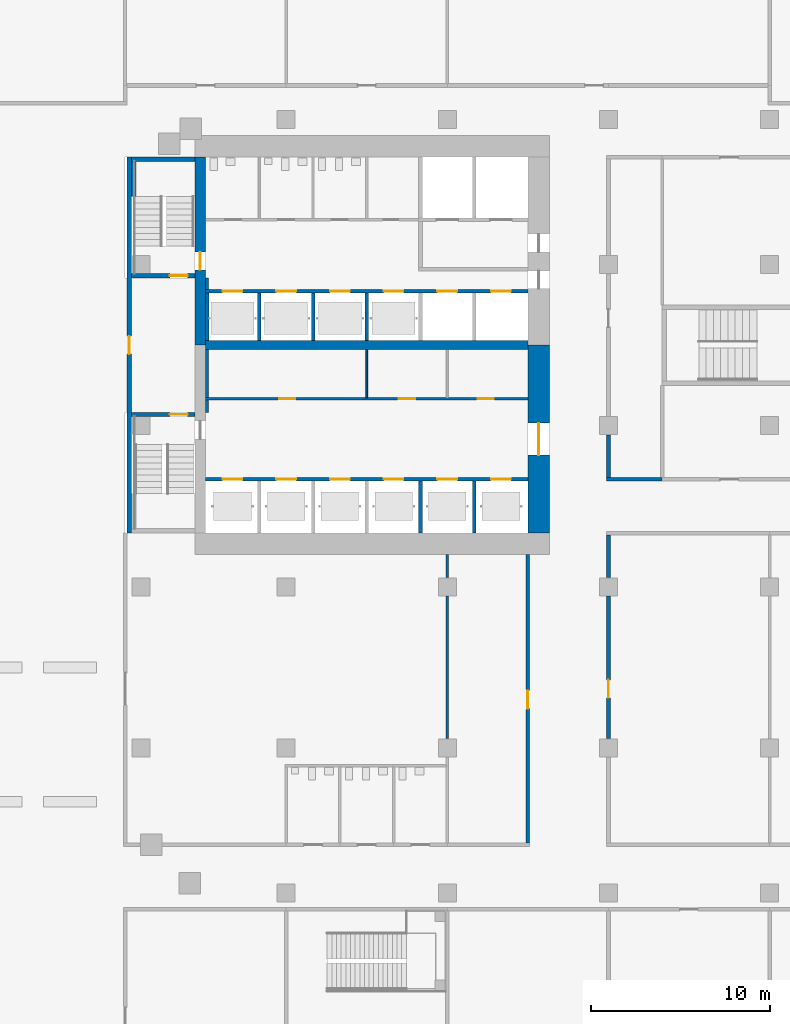
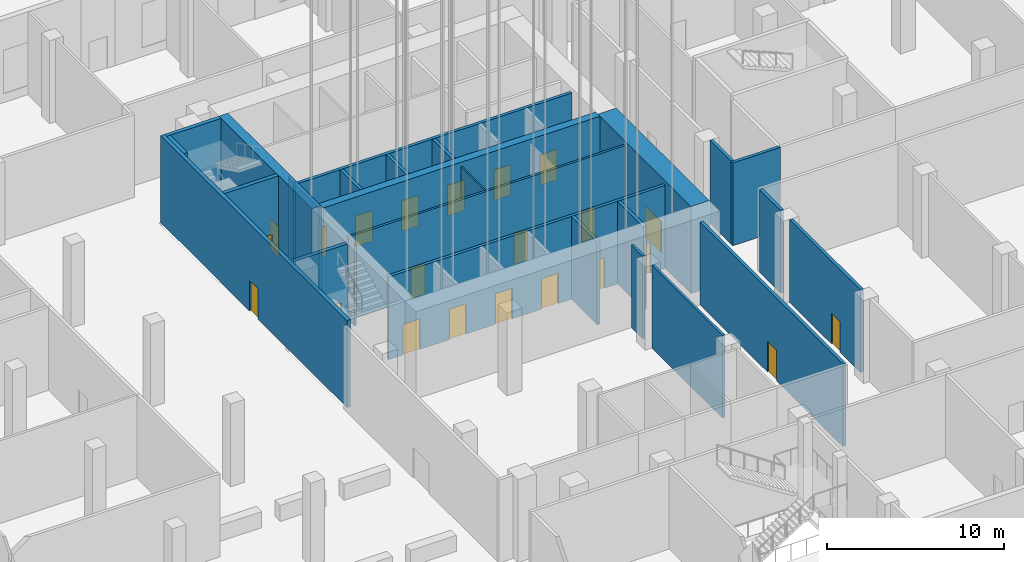
# One storey, part 38 of 55: 28 walls, 22 doors, 22 openings.
"""IFC4 building model written with IfcOpenShell, lengths in metres."""

from ifc_helpers import new_model, si_unit, direction, frame, frame_2d, origin, place, context, subcontext, project, spatial, rectangle, extrude, material, layer, layer_set, type_object, element, fill, save


model = new_model("IFC4")

# Units and contexts
model_context = context("Model", 3, precision=1e-05, world=origin(), true_north=direction((0.0, 1.0)))
body_context = subcontext(model_context, "Body", "Model", "MODEL_VIEW")
ifc_project = project(units=[si_unit("LENGTHUNIT", "METRE"), si_unit("AREAUNIT", "SQUARE_METRE"), si_unit("VOLUMEUNIT", "CUBIC_METRE"), si_unit("PLANEANGLEUNIT", "RADIAN"), si_unit("MASSUNIT", "GRAM", prefix="KILO")], contexts=[model_context])

# Site, building, storey
site_placement = place(None, origin())
site = spatial("IfcSite", under=ifc_project, at=site_placement, CompositionType="ELEMENT")
building_placement = place(site_placement, origin())
building = spatial("IfcBuilding", under=site, at=building_placement, Name="Cinnabar Reach Civic Tower", CompositionType="ELEMENT")
storey_placement = place(building_placement, origin())
storey = spatial("IfcBuildingStorey", under=building, at=storey_placement, Name="L00", CompositionType="ELEMENT", Elevation=0.0)

# Wall, opening, door
ifc_material_1 = material(Name="Concrete C70", Category="concrete")
ifc_layer_1 = layer(ifc_material_1, 1.2)
ifc_layer_set_1 = layer_set([ifc_layer_1], Name="Core wall 1200 EI 180")
wall_type_1 = type_object("IfcWallType", Name="Core wall 1200 EI 180", PredefinedType="SOLIDWALL", material=ifc_layer_set_1)
wall_1_placement = place(storey_placement, frame((23.1, 21.0, 0.0), z_axis=(0.0, 0.0, 1.0), x_axis=(0.0, 1.0, 0.0)))
wall_1 = element("IfcWall", 1, at=wall_1_placement, inside=storey, type_object=wall_type_1, Name="Core wall T1 L00 E", PredefinedType="SOLIDWALL", context=body_context, shape_type="SweptSolid", body=[
    extrude(rectangle(XDim=10.5, YDim=1.2, at=frame_2d((5.25, 0.0))), origin(), (0.0, 0.0, 1.0), 6.0),
])
opening_1_placement = place(wall_1_placement, frame((4.35, 0.0, 0.0)))
opening_1 = element("IfcOpeningElement", 2, at=opening_1_placement, cuts=wall_1, Name="Opening D3076", PredefinedType="OPENING", context=body_context, shape_type="SweptSolid", body=[
    extrude(rectangle(XDim=1.8, YDim=2.1, at=frame_2d((0.9, 1.05))), frame((0.0, 0.61, 0.0), z_axis=(0.0, -1.0, 0.0), x_axis=(1.0, 0.0, 0.0)), (0.0, 0.0, 1.0), 1.22),
])
ifc_material_2 = material(Name="Timber door leaf in steel frame", Category="steel")
door_type_1 = type_object("IfcDoorType", Name="Double swing door 1800 x 2100 T1", OperationType="DOUBLE_DOOR_DOUBLE_SWING", PredefinedType="DOOR", material=ifc_material_2)
door_1_placement = place(opening_1_placement, origin())
door_1 = element("IfcDoor", 3, at=door_1_placement, inside=storey, type_object=door_type_1, Name="Door D3076", OperationType="DOUBLE_DOOR_DOUBLE_SWING", OverallHeight=2.1, OverallWidth=1.8, PredefinedType="DOOR", context=body_context, shape_type="SweptSolid", body=[
    extrude(rectangle(XDim=1.8, YDim=2.1, at=frame_2d((0.9, 1.05))), frame((0.0, 0.025, 0.0), z_axis=(0.0, -1.0, 0.0), x_axis=(1.0, 0.0, 0.0)), (0.0, 0.0, 1.0), 0.05),
])
fill(opening_1, door_1)

# Wall
ifc_material_3 = material(Name="Concrete C60", Category="concrete")
ifc_layer_2 = layer(ifc_material_3, 0.5)
ifc_layer_set_2 = layer_set([ifc_layer_2], Name="Core wall 500 EI 180")
wall_type_2 = type_object("IfcWallType", Name="Core wall 500 EI 180", PredefinedType="SOLIDWALL", material=ifc_layer_set_2)
wall_2_placement = place(storey_placement, frame((4.5, 31.5, 0.0), z_axis=(0.0, 0.0, 1.0), x_axis=(1.0, 0.0, 0.0)))
element("IfcWall", 4, at=wall_2_placement, inside=storey, type_object=wall_type_2, Name="Core spine wall T1 L00", PredefinedType="SOLIDWALL", context=body_context, shape_type="SweptSolid", body=[
    extrude(rectangle(XDim=18.0, YDim=0.5, at=frame_2d((9.0, 0.0))), origin(), (0.0, 0.0, 1.0), 6.0),
])

# Wall, opening, door
ifc_layer_3 = layer(ifc_material_1, 0.6)
ifc_layer_set_3 = layer_set([ifc_layer_3], Name="Core wall 600 EI 180")
wall_type_3 = type_object("IfcWallType", Name="Core wall 600 EI 180", PredefinedType="SOLIDWALL", material=ifc_layer_set_3)
wall_3_placement = place(storey_placement, frame((4.2, 42.0, 0.0), z_axis=(0.0, 0.0, 1.0), x_axis=(0.0, -1.0, 0.0)))
wall_3 = element("IfcWall", 5, at=wall_3_placement, inside=storey, type_object=wall_type_3, Name="Core wall T1 L00 W", PredefinedType="SOLIDWALL", context=body_context, shape_type="SweptSolid", body=[
    extrude(rectangle(XDim=10.5, YDim=0.6, at=frame_2d((5.25, 0.0))), origin(), (0.0, 0.0, 1.0), 6.0),
])
opening_2_placement = place(wall_3_placement, frame((5.3, 0.0, 0.0)))
opening_2 = element("IfcOpeningElement", 6, at=opening_2_placement, cuts=wall_3, Name="Opening D3060", PredefinedType="OPENING", context=body_context, shape_type="SweptSolid", body=[
    extrude(rectangle(XDim=1.0, YDim=2.1, at=frame_2d((0.5, 1.05))), frame((0.0, 0.31, 0.0), z_axis=(0.0, -1.0, 0.0), x_axis=(1.0, 0.0, 0.0)), (0.0, 0.0, 1.0), 0.62),
])
door_type_2 = type_object("IfcDoorType", Name="Stair door 1000 x 2100 T1", OperationType="SINGLE_SWING_LEFT", PredefinedType="DOOR", material=ifc_material_2)
door_2_placement = place(opening_2_placement, frame((1.0, 0.0, 0.0), z_axis=(0.0, 0.0, 1.0), x_axis=(-1.0, 0.0, 0.0)))
door_2 = element("IfcDoor", 7, at=door_2_placement, inside=storey, type_object=door_type_2, Name="Door D3060", OperationType="SINGLE_SWING_LEFT", OverallHeight=2.1, OverallWidth=1.0, PredefinedType="DOOR", context=body_context, shape_type="SweptSolid", body=[
    extrude(rectangle(XDim=1.0, YDim=2.1, at=frame_2d((0.5, 1.05))), frame((0.0, 0.025, 0.0), z_axis=(0.0, -1.0, 0.0), x_axis=(1.0, 0.0, 0.0)), (0.0, 0.0, 1.0), 0.05),
])
fill(opening_2, door_2)

# Wall, openings, doors
ifc_material_4 = material(Name="Gypsum board on steel studs, double layer", Category="steel")
ifc_layer_4 = layer(ifc_material_4, 0.15)
ifc_layer_set_4 = layer_set([ifc_layer_4], Name="Corridor wall 150 T1")
wall_type_4 = type_object("IfcWallType", Name="Corridor wall 150 T1", PredefinedType="PARTITIONING", material=ifc_layer_set_4)
wall_4_placement = place(storey_placement, frame((4.5, 28.5, 0.0), z_axis=(0.0, 0.0, 1.0), x_axis=(1.0, 0.0, 0.0)))
wall_4 = element("IfcWall", 8, at=wall_4_placement, inside=storey, type_object=wall_type_4, Name="Corridor wall 19", PredefinedType="PARTITIONING", context=body_context, shape_type="SweptSolid", body=[
    extrude(rectangle(XDim=18.0, YDim=0.15, at=frame_2d((9.0, 0.0))), origin(), (0.0, 0.0, 1.0), 5.7),
])
opening_3_placement = place(wall_4_placement, frame((4.1, 0.0, 0.0)))
opening_3 = element("IfcOpeningElement", 9, at=opening_3_placement, cuts=wall_4, Name="Opening D3079", PredefinedType="OPENING", context=body_context, shape_type="SweptSolid", body=[
    extrude(rectangle(XDim=0.9, YDim=2.1, at=frame_2d((0.45, 1.05))), frame((0.0, 0.085, 0.0), z_axis=(0.0, -1.0, 0.0), x_axis=(1.0, 0.0, 0.0)), (0.0, 0.0, 1.0), 0.17),
])
opening_4_placement = place(wall_4_placement, frame((10.8, 0.0, 0.0)))
opening_4 = element("IfcOpeningElement", 10, at=opening_4_placement, cuts=wall_4, Name="Opening D3080", PredefinedType="OPENING", context=body_context, shape_type="SweptSolid", body=[
    extrude(rectangle(XDim=0.9, YDim=2.1, at=frame_2d((0.45, 1.05))), frame((0.0, 0.085, 0.0), z_axis=(0.0, -1.0, 0.0), x_axis=(1.0, 0.0, 0.0)), (0.0, 0.0, 1.0), 0.17),
])
opening_5_placement = place(wall_4_placement, frame((15.2, 0.0, 0.0)))
opening_5 = element("IfcOpeningElement", 11, at=opening_5_placement, cuts=wall_4, Name="Opening D3081", PredefinedType="OPENING", context=body_context, shape_type="SweptSolid", body=[
    extrude(rectangle(XDim=0.9, YDim=2.1, at=frame_2d((0.45, 1.05))), frame((0.0, 0.085, 0.0), z_axis=(0.0, -1.0, 0.0), x_axis=(1.0, 0.0, 0.0)), (0.0, 0.0, 1.0), 0.17),
])
door_type_3 = type_object("IfcDoorType", Name="Single swing door 900 x 2100 corridor T1", OperationType="SINGLE_SWING_LEFT", PredefinedType="DOOR", material=ifc_material_2)
door_3_placement = place(opening_3_placement, origin())
door_3 = element("IfcDoor", 12, at=door_3_placement, inside=storey, type_object=door_type_3, Name="Door D3079", OperationType="SINGLE_SWING_LEFT", OverallHeight=2.1, OverallWidth=0.9, PredefinedType="DOOR", context=body_context, shape_type="SweptSolid", body=[
    extrude(rectangle(XDim=0.9, YDim=2.1, at=frame_2d((0.45, 1.05))), frame((0.0, 0.025, 0.0), z_axis=(0.0, -1.0, 0.0), x_axis=(1.0, 0.0, 0.0)), (0.0, 0.0, 1.0), 0.05),
])
fill(opening_3, door_3)
door_4_placement = place(opening_4_placement, origin())
door_4 = element("IfcDoor", 13, at=door_4_placement, inside=storey, type_object=door_type_3, Name="Door D3080", OperationType="SINGLE_SWING_LEFT", OverallHeight=2.1, OverallWidth=0.9, PredefinedType="DOOR", context=body_context, shape_type="SweptSolid", body=[
    extrude(rectangle(XDim=0.9, YDim=2.1, at=frame_2d((0.45, 1.05))), frame((0.0, 0.025, 0.0), z_axis=(0.0, -1.0, 0.0), x_axis=(1.0, 0.0, 0.0)), (0.0, 0.0, 1.0), 0.05),
])
fill(opening_4, door_4)
door_5_placement = place(opening_5_placement, origin())
door_5 = element("IfcDoor", 14, at=door_5_placement, inside=storey, type_object=door_type_3, Name="Door D3081", OperationType="SINGLE_SWING_LEFT", OverallHeight=2.1, OverallWidth=0.9, PredefinedType="DOOR", context=body_context, shape_type="SweptSolid", body=[
    extrude(rectangle(XDim=0.9, YDim=2.1, at=frame_2d((0.45, 1.05))), frame((0.0, 0.025, 0.0), z_axis=(0.0, -1.0, 0.0), x_axis=(1.0, 0.0, 0.0)), (0.0, 0.0, 1.0), 0.05),
])
fill(opening_5, door_5)

# Walls
wall_5_placement = place(storey_placement, frame((4.575, 27.75, 0.0), z_axis=(0.0, 0.0, 1.0), x_axis=(0.0, 1.0, 0.0)))
element("IfcWall", 15, at=wall_5_placement, inside=storey, type_object=wall_type_4, Name="Corridor wall 21", PredefinedType="PARTITIONING", context=body_context, shape_type="SweptSolid", body=[
    extrude(rectangle(XDim=0.675, YDim=0.15, at=frame_2d((0.3375, 0.0))), origin(), (0.0, 0.0, 1.0), 5.7),
])
wall_6_placement = place(storey_placement, frame((4.575, 28.575, 0.0), z_axis=(0.0, 0.0, 1.0), x_axis=(0.0, 1.0, 0.0)))
element("IfcWall", 16, at=wall_6_placement, inside=storey, type_object=wall_type_4, Name="Corridor wall 22", PredefinedType="PARTITIONING", context=body_context, shape_type="SweptSolid", body=[
    extrude(rectangle(XDim=2.675, YDim=0.15, at=frame_2d((1.3375, 0.0))), origin(), (0.0, 0.0, 1.0), 5.7),
])
wall_7_placement = place(storey_placement, frame((4.575, 34.6, 0.0), z_axis=(0.0, 0.0, 1.0), x_axis=(0.0, 1.0, 0.0)))
element("IfcWall", 17, at=wall_7_placement, inside=storey, type_object=wall_type_4, Name="Corridor wall 23", PredefinedType="PARTITIONING", context=body_context, shape_type="SweptSolid", body=[
    extrude(rectangle(XDim=0.65, YDim=0.15, at=frame_2d((0.325, 0.0))), origin(), (0.0, 0.0, 1.0), 5.7),
])

# Wall, openings, doors
ifc_material_5 = material(Name="Blockwork", Category="masonry")
ifc_layer_5 = layer(ifc_material_5, 0.2)
ifc_layer_set_5 = layer_set([ifc_layer_5], Name="Lift shaft wall 200 T1")
wall_type_5 = type_object("IfcWallType", Name="Lift shaft wall 200 T1", PredefinedType="PARTITIONING", material=ifc_layer_set_5)
wall_8_placement = place(storey_placement, frame((4.5, 24.0, 0.0), z_axis=(0.0, 0.0, 1.0), x_axis=(1.0, 0.0, 0.0)))
wall_8 = element("IfcWall", 18, at=wall_8_placement, inside=storey, type_object=wall_type_5, Name="Lift shaft wall 4", PredefinedType="PARTITIONING", context=body_context, shape_type="SweptSolid", body=[
    extrude(rectangle(XDim=18.0, YDim=0.2, at=frame_2d((9.0, 0.0))), origin(), (0.0, 0.0, 1.0), 5.7),
])
opening_6_placement = place(wall_8_placement, frame((0.95, 0.0, 0.0)))
opening_6 = element("IfcOpeningElement", 19, at=opening_6_placement, cuts=wall_8, Name="Opening D3062", PredefinedType="OPENING", context=body_context, shape_type="SweptSolid", body=[
    extrude(rectangle(XDim=1.1, YDim=2.1, at=frame_2d((0.55, 1.05))), frame((0.0, 0.11, 0.0), z_axis=(0.0, -1.0, 0.0), x_axis=(1.0, 0.0, 0.0)), (0.0, 0.0, 1.0), 0.22),
])
opening_7_placement = place(wall_8_placement, frame((3.95, 0.0, 0.0)))
opening_7 = element("IfcOpeningElement", 20, at=opening_7_placement, cuts=wall_8, Name="Opening D3063", PredefinedType="OPENING", context=body_context, shape_type="SweptSolid", body=[
    extrude(rectangle(XDim=1.1, YDim=2.1, at=frame_2d((0.55, 1.05))), frame((0.0, 0.11, 0.0), z_axis=(0.0, -1.0, 0.0), x_axis=(1.0, 0.0, 0.0)), (0.0, 0.0, 1.0), 0.22),
])
opening_8_placement = place(wall_8_placement, frame((6.95, 0.0, 0.0)))
opening_8 = element("IfcOpeningElement", 21, at=opening_8_placement, cuts=wall_8, Name="Opening D3064", PredefinedType="OPENING", context=body_context, shape_type="SweptSolid", body=[
    extrude(rectangle(XDim=1.1, YDim=2.1, at=frame_2d((0.55, 1.05))), frame((0.0, 0.11, 0.0), z_axis=(0.0, -1.0, 0.0), x_axis=(1.0, 0.0, 0.0)), (0.0, 0.0, 1.0), 0.22),
])
opening_9_placement = place(wall_8_placement, frame((9.95, 0.0, 0.0)))
opening_9 = element("IfcOpeningElement", 22, at=opening_9_placement, cuts=wall_8, Name="Opening D3065", PredefinedType="OPENING", context=body_context, shape_type="SweptSolid", body=[
    extrude(rectangle(XDim=1.1, YDim=2.1, at=frame_2d((0.55, 1.05))), frame((0.0, 0.11, 0.0), z_axis=(0.0, -1.0, 0.0), x_axis=(1.0, 0.0, 0.0)), (0.0, 0.0, 1.0), 0.22),
])
opening_10_placement = place(wall_8_placement, frame((12.95, 0.0, 0.0)))
opening_10 = element("IfcOpeningElement", 23, at=opening_10_placement, cuts=wall_8, Name="Opening D3066", PredefinedType="OPENING", context=body_context, shape_type="SweptSolid", body=[
    extrude(rectangle(XDim=1.1, YDim=2.1, at=frame_2d((0.55, 1.05))), frame((0.0, 0.11, 0.0), z_axis=(0.0, -1.0, 0.0), x_axis=(1.0, 0.0, 0.0)), (0.0, 0.0, 1.0), 0.22),
])
opening_11_placement = place(wall_8_placement, frame((15.95, 0.0, 0.0)))
opening_11 = element("IfcOpeningElement", 24, at=opening_11_placement, cuts=wall_8, Name="Opening D3067", PredefinedType="OPENING", context=body_context, shape_type="SweptSolid", body=[
    extrude(rectangle(XDim=1.1, YDim=2.1, at=frame_2d((0.55, 1.05))), frame((0.0, 0.11, 0.0), z_axis=(0.0, -1.0, 0.0), x_axis=(1.0, 0.0, 0.0)), (0.0, 0.0, 1.0), 0.22),
])
ifc_material_6 = material(Name="Stainless steel sliding door", Category="steel")
door_type_4 = type_object("IfcDoorType", Name="Lift landing door 1100 x 2100 T1", OperationType="SLIDING_TO_LEFT", PredefinedType="DOOR", material=ifc_material_6)
door_6_placement = place(opening_6_placement, origin())
door_6 = element("IfcDoor", 25, at=door_6_placement, inside=storey, type_object=door_type_4, Name="Lift landing door LR1 L00", OperationType="SLIDING_TO_LEFT", OverallHeight=2.1, OverallWidth=1.1, PredefinedType="DOOR", context=body_context, shape_type="SweptSolid", body=[
    extrude(rectangle(XDim=1.1, YDim=2.1, at=frame_2d((0.55, 1.05))), frame((0.0, 0.025, 0.0), z_axis=(0.0, -1.0, 0.0), x_axis=(1.0, 0.0, 0.0)), (0.0, 0.0, 1.0), 0.05),
])
fill(opening_6, door_6)
door_7_placement = place(opening_7_placement, origin())
door_7 = element("IfcDoor", 26, at=door_7_placement, inside=storey, type_object=door_type_4, Name="Lift landing door LR2 L00", OperationType="SLIDING_TO_LEFT", OverallHeight=2.1, OverallWidth=1.1, PredefinedType="DOOR", context=body_context, shape_type="SweptSolid", body=[
    extrude(rectangle(XDim=1.1, YDim=2.1, at=frame_2d((0.55, 1.05))), frame((0.0, 0.025, 0.0), z_axis=(0.0, -1.0, 0.0), x_axis=(1.0, 0.0, 0.0)), (0.0, 0.0, 1.0), 0.05),
])
fill(opening_7, door_7)
door_8_placement = place(opening_8_placement, origin())
door_8 = element("IfcDoor", 27, at=door_8_placement, inside=storey, type_object=door_type_4, Name="Lift landing door LR3 L00", OperationType="SLIDING_TO_LEFT", OverallHeight=2.1, OverallWidth=1.1, PredefinedType="DOOR", context=body_context, shape_type="SweptSolid", body=[
    extrude(rectangle(XDim=1.1, YDim=2.1, at=frame_2d((0.55, 1.05))), frame((0.0, 0.025, 0.0), z_axis=(0.0, -1.0, 0.0), x_axis=(1.0, 0.0, 0.0)), (0.0, 0.0, 1.0), 0.05),
])
fill(opening_8, door_8)
door_9_placement = place(opening_9_placement, origin())
door_9 = element("IfcDoor", 28, at=door_9_placement, inside=storey, type_object=door_type_4, Name="Lift landing door LR4 L00", OperationType="SLIDING_TO_LEFT", OverallHeight=2.1, OverallWidth=1.1, PredefinedType="DOOR", context=body_context, shape_type="SweptSolid", body=[
    extrude(rectangle(XDim=1.1, YDim=2.1, at=frame_2d((0.55, 1.05))), frame((0.0, 0.025, 0.0), z_axis=(0.0, -1.0, 0.0), x_axis=(1.0, 0.0, 0.0)), (0.0, 0.0, 1.0), 0.05),
])
fill(opening_9, door_9)
door_10_placement = place(opening_10_placement, origin())
door_10 = element("IfcDoor", 29, at=door_10_placement, inside=storey, type_object=door_type_4, Name="Lift landing door LR5 L00", OperationType="SLIDING_TO_LEFT", OverallHeight=2.1, OverallWidth=1.1, PredefinedType="DOOR", context=body_context, shape_type="SweptSolid", body=[
    extrude(rectangle(XDim=1.1, YDim=2.1, at=frame_2d((0.55, 1.05))), frame((0.0, 0.025, 0.0), z_axis=(0.0, -1.0, 0.0), x_axis=(1.0, 0.0, 0.0)), (0.0, 0.0, 1.0), 0.05),
])
fill(opening_10, door_10)
door_11_placement = place(opening_11_placement, origin())
door_11 = element("IfcDoor", 30, at=door_11_placement, inside=storey, type_object=door_type_4, Name="Lift landing door LR6 L00", OperationType="SLIDING_TO_LEFT", OverallHeight=2.1, OverallWidth=1.1, PredefinedType="DOOR", context=body_context, shape_type="SweptSolid", body=[
    extrude(rectangle(XDim=1.1, YDim=2.1, at=frame_2d((0.55, 1.05))), frame((0.0, 0.025, 0.0), z_axis=(0.0, -1.0, 0.0), x_axis=(1.0, 0.0, 0.0)), (0.0, 0.0, 1.0), 0.05),
])
fill(opening_11, door_11)

wall_9_placement = place(storey_placement, frame((4.5, 34.5, 0.0), z_axis=(0.0, 0.0, 1.0), x_axis=(1.0, 0.0, 0.0)))
wall_9 = element("IfcWall", 31, at=wall_9_placement, inside=storey, type_object=wall_type_5, Name="Lift shaft wall 5", PredefinedType="PARTITIONING", context=body_context, shape_type="SweptSolid", body=[
    extrude(rectangle(XDim=18.0, YDim=0.2, at=frame_2d((9.0, 0.0))), origin(), (0.0, 0.0, 1.0), 5.7),
])
opening_12_placement = place(wall_9_placement, frame((0.95, 0.0, 0.0)))
opening_12 = element("IfcOpeningElement", 32, at=opening_12_placement, cuts=wall_9, Name="Opening D3068", PredefinedType="OPENING", context=body_context, shape_type="SweptSolid", body=[
    extrude(rectangle(XDim=1.1, YDim=2.1, at=frame_2d((0.55, 1.05))), frame((0.0, 0.11, 0.0), z_axis=(0.0, -1.0, 0.0), x_axis=(1.0, 0.0, 0.0)), (0.0, 0.0, 1.0), 0.22),
])
opening_13_placement = place(wall_9_placement, frame((3.95, 0.0, 0.0)))
opening_13 = element("IfcOpeningElement", 33, at=opening_13_placement, cuts=wall_9, Name="Opening D3069", PredefinedType="OPENING", context=body_context, shape_type="SweptSolid", body=[
    extrude(rectangle(XDim=1.1, YDim=2.1, at=frame_2d((0.55, 1.05))), frame((0.0, 0.11, 0.0), z_axis=(0.0, -1.0, 0.0), x_axis=(1.0, 0.0, 0.0)), (0.0, 0.0, 1.0), 0.22),
])
opening_14_placement = place(wall_9_placement, frame((6.95, 0.0, 0.0)))
opening_14 = element("IfcOpeningElement", 34, at=opening_14_placement, cuts=wall_9, Name="Opening D3070", PredefinedType="OPENING", context=body_context, shape_type="SweptSolid", body=[
    extrude(rectangle(XDim=1.1, YDim=2.1, at=frame_2d((0.55, 1.05))), frame((0.0, 0.11, 0.0), z_axis=(0.0, -1.0, 0.0), x_axis=(1.0, 0.0, 0.0)), (0.0, 0.0, 1.0), 0.22),
])
opening_15_placement = place(wall_9_placement, frame((9.95, 0.0, 0.0)))
opening_15 = element("IfcOpeningElement", 35, at=opening_15_placement, cuts=wall_9, Name="Opening D3071", PredefinedType="OPENING", context=body_context, shape_type="SweptSolid", body=[
    extrude(rectangle(XDim=1.1, YDim=2.1, at=frame_2d((0.55, 1.05))), frame((0.0, 0.11, 0.0), z_axis=(0.0, -1.0, 0.0), x_axis=(1.0, 0.0, 0.0)), (0.0, 0.0, 1.0), 0.22),
])
opening_16_placement = place(wall_9_placement, frame((12.95, 0.0, 0.0)))
opening_16 = element("IfcOpeningElement", 36, at=opening_16_placement, cuts=wall_9, Name="Opening D3072", PredefinedType="OPENING", context=body_context, shape_type="SweptSolid", body=[
    extrude(rectangle(XDim=1.1, YDim=2.1, at=frame_2d((0.55, 1.05))), frame((0.0, 0.11, 0.0), z_axis=(0.0, -1.0, 0.0), x_axis=(1.0, 0.0, 0.0)), (0.0, 0.0, 1.0), 0.22),
])
opening_17_placement = place(wall_9_placement, frame((15.95, 0.0, 0.0)))
opening_17 = element("IfcOpeningElement", 37, at=opening_17_placement, cuts=wall_9, Name="Opening D3073", PredefinedType="OPENING", context=body_context, shape_type="SweptSolid", body=[
    extrude(rectangle(XDim=1.1, YDim=2.1, at=frame_2d((0.55, 1.05))), frame((0.0, 0.11, 0.0), z_axis=(0.0, -1.0, 0.0), x_axis=(1.0, 0.0, 0.0)), (0.0, 0.0, 1.0), 0.22),
])
door_12_placement = place(opening_12_placement, origin())
door_12 = element("IfcDoor", 38, at=door_12_placement, inside=storey, type_object=door_type_4, Name="Lift landing door SH1 L00", OperationType="SLIDING_TO_LEFT", OverallHeight=2.1, OverallWidth=1.1, PredefinedType="DOOR", context=body_context, shape_type="SweptSolid", body=[
    extrude(rectangle(XDim=1.1, YDim=2.1, at=frame_2d((0.55, 1.05))), frame((0.0, 0.025, 0.0), z_axis=(0.0, -1.0, 0.0), x_axis=(1.0, 0.0, 0.0)), (0.0, 0.0, 1.0), 0.05),
])
fill(opening_12, door_12)
door_13_placement = place(opening_13_placement, origin())
door_13 = element("IfcDoor", 39, at=door_13_placement, inside=storey, type_object=door_type_4, Name="Lift landing door SH2 L00", OperationType="SLIDING_TO_LEFT", OverallHeight=2.1, OverallWidth=1.1, PredefinedType="DOOR", context=body_context, shape_type="SweptSolid", body=[
    extrude(rectangle(XDim=1.1, YDim=2.1, at=frame_2d((0.55, 1.05))), frame((0.0, 0.025, 0.0), z_axis=(0.0, -1.0, 0.0), x_axis=(1.0, 0.0, 0.0)), (0.0, 0.0, 1.0), 0.05),
])
fill(opening_13, door_13)
door_14_placement = place(opening_14_placement, origin())
door_14 = element("IfcDoor", 40, at=door_14_placement, inside=storey, type_object=door_type_4, Name="Lift landing door OB1 L00", OperationType="SLIDING_TO_LEFT", OverallHeight=2.1, OverallWidth=1.1, PredefinedType="DOOR", context=body_context, shape_type="SweptSolid", body=[
    extrude(rectangle(XDim=1.1, YDim=2.1, at=frame_2d((0.55, 1.05))), frame((0.0, 0.025, 0.0), z_axis=(0.0, -1.0, 0.0), x_axis=(1.0, 0.0, 0.0)), (0.0, 0.0, 1.0), 0.05),
])
fill(opening_14, door_14)
door_15_placement = place(opening_15_placement, origin())
door_15 = element("IfcDoor", 41, at=door_15_placement, inside=storey, type_object=door_type_4, Name="Lift landing door OB2 L00", OperationType="SLIDING_TO_LEFT", OverallHeight=2.1, OverallWidth=1.1, PredefinedType="DOOR", context=body_context, shape_type="SweptSolid", body=[
    extrude(rectangle(XDim=1.1, YDim=2.1, at=frame_2d((0.55, 1.05))), frame((0.0, 0.025, 0.0), z_axis=(0.0, -1.0, 0.0), x_axis=(1.0, 0.0, 0.0)), (0.0, 0.0, 1.0), 0.05),
])
fill(opening_15, door_15)
door_16_placement = place(opening_16_placement, origin())
door_16 = element("IfcDoor", 42, at=door_16_placement, inside=storey, type_object=door_type_4, Name="Lift landing door SV1 L00", OperationType="SLIDING_TO_LEFT", OverallHeight=2.1, OverallWidth=1.1, PredefinedType="DOOR", context=body_context, shape_type="SweptSolid", body=[
    extrude(rectangle(XDim=1.1, YDim=2.1, at=frame_2d((0.55, 1.05))), frame((0.0, 0.025, 0.0), z_axis=(0.0, -1.0, 0.0), x_axis=(1.0, 0.0, 0.0)), (0.0, 0.0, 1.0), 0.05),
])
fill(opening_16, door_16)
door_17_placement = place(opening_17_placement, origin())
door_17 = element("IfcDoor", 43, at=door_17_placement, inside=storey, type_object=door_type_4, Name="Lift landing door SV2 L00", OperationType="SLIDING_TO_LEFT", OverallHeight=2.1, OverallWidth=1.1, PredefinedType="DOOR", context=body_context, shape_type="SweptSolid", body=[
    extrude(rectangle(XDim=1.1, YDim=2.1, at=frame_2d((0.55, 1.05))), frame((0.0, 0.025, 0.0), z_axis=(0.0, -1.0, 0.0), x_axis=(1.0, 0.0, 0.0)), (0.0, 0.0, 1.0), 0.05),
])
fill(opening_17, door_17)

# Walls
for number, where, z_axis, x_axis, name in (
    (44, (4.6, 31.75, 0.0), (0.0, 0.0, 1.0), (0.0, 1.0, 0.0), "Lift shaft wall 8"),
    (45, (7.5, 31.75, 0.0), (0.0, 0.0, 1.0), (0.0, 1.0, 0.0), "Lift shaft wall 10"),
    (46, (10.5, 31.75, 0.0), (0.0, 0.0, 1.0), (0.0, 1.0, 0.0), "Lift shaft wall 12"),
    (47, (13.5, 31.75, 0.0), (0.0, 0.0, 1.0), (0.0, 1.0, 0.0), "Lift shaft wall 14"),
):
    element("IfcWall", number, at=place(storey_placement, frame(where, z_axis=z_axis, x_axis=x_axis)), inside=storey, type_object=wall_type_5, Name=name, PredefinedType="PARTITIONING", context=body_context, shape_type="SweptSolid", body=[
        extrude(rectangle(XDim=2.65, YDim=0.2, at=frame_2d((1.325, 0.0))), origin(), (0.0, 0.0, 1.0), 5.7),
    ])
for number, where, z_axis, x_axis, name in (
    (48, (16.5, 21.0, 0.0), (0.0, 0.0, 1.0), (0.0, 1.0, 0.0), "Lift shaft wall 15"),
    (49, (19.5, 21.0, 0.0), (0.0, 0.0, 1.0), (0.0, 1.0, 0.0), "Lift shaft wall 17"),
):
    element("IfcWall", number, at=place(storey_placement, frame(where, z_axis=z_axis, x_axis=x_axis)), inside=storey, type_object=wall_type_5, Name=name, PredefinedType="PARTITIONING", context=body_context, shape_type="SweptSolid", body=[
        extrude(rectangle(XDim=2.9, YDim=0.2, at=frame_2d((1.45, 0.0))), origin(), (0.0, 0.0, 1.0), 5.7),
    ])
ifc_material_7 = material(Name="Gypsum board on steel studs", Category="steel")
ifc_layer_6 = layer(ifc_material_7, 0.1)
ifc_layer_set_6 = layer_set([ifc_layer_6], Name="Partition wall 100 T1")
wall_type_6 = type_object("IfcWallType", Name="Partition wall 100 T1", PredefinedType="PARTITIONING", material=ifc_layer_set_6)
wall_10_placement = place(storey_placement, frame((13.5, 28.575, 0.0), z_axis=(0.0, 0.0, 1.0), x_axis=(0.0, 1.0, 0.0)))
element("IfcWall", 50, at=wall_10_placement, inside=storey, type_object=wall_type_6, Name="Partition wall 27", PredefinedType="PARTITIONING", context=body_context, shape_type="SweptSolid", body=[
    extrude(rectangle(XDim=2.675, YDim=0.1, at=frame_2d((1.3375, 0.0))), origin(), (0.0, 0.0, 1.0), 5.7),
])

# Wall, opening, door
ifc_material_8 = material(Name="Concrete blockwork", Category="masonry")
ifc_layer_7 = layer(ifc_material_8, 0.2)
ifc_layer_set_7 = layer_set([ifc_layer_7], Name="Podium masonry corridor wall 200 EI 120")
wall_type_7 = type_object("IfcWallType", Name="Podium masonry corridor wall 200 EI 120", PredefinedType="PARTITIONING", material=ifc_layer_set_7)
wall_11_placement = place(storey_placement, frame((22.5, 3.7, 0.0), z_axis=(0.0, 0.0, 1.0), x_axis=(0.0, 1.0, 0.0)))
wall_11 = element("IfcWall", 51, at=wall_11_placement, inside=storey, type_object=wall_type_7, Name="Wall L00 135", PredefinedType="PARTITIONING", context=body_context, shape_type="SweptSolid", body=[
    extrude(rectangle(XDim=16.1, YDim=0.2, at=frame_2d((8.05, 0.0))), origin(), (0.0, 0.0, 1.0), 5.7),
])
opening_18_placement = place(wall_11_placement, frame((7.5, 0.0, 0.0)))
opening_18 = element("IfcOpeningElement", 52, at=opening_18_placement, cuts=wall_11, Name="Opening D1021", PredefinedType="OPENING", context=body_context, shape_type="SweptSolid", body=[
    extrude(rectangle(XDim=1.0, YDim=2.1, at=frame_2d((0.5, 1.05))), frame((0.0, 0.11, 0.0), z_axis=(0.0, -1.0, 0.0), x_axis=(1.0, 0.0, 0.0)), (0.0, 0.0, 1.0), 0.22),
])
ifc_material_9 = material(Name="Painted steel door leaf", Category="steel")
door_type_5 = type_object("IfcDoorType", Name="Podium single door 1000x2100", OperationType="SINGLE_SWING_LEFT", PredefinedType="DOOR", material=ifc_material_9)
door_18_placement = place(opening_18_placement, origin())
door_18 = element("IfcDoor", 53, at=door_18_placement, inside=storey, type_object=door_type_5, Name="Door D1021", OperationType="SINGLE_SWING_LEFT", OverallHeight=2.1, OverallWidth=1.0, PredefinedType="DOOR", context=body_context, shape_type="SweptSolid", body=[
    extrude(rectangle(XDim=1.0, YDim=2.1, at=frame_2d((0.5, 1.05))), frame((0.0, 0.025, 0.0), z_axis=(0.0, -1.0, 0.0), x_axis=(1.0, 0.0, 0.0)), (0.0, 0.0, 1.0), 0.05),
])
fill(opening_18, door_18)

wall_12_placement = place(storey_placement, frame((27.0, 9.52, 0.0), z_axis=(0.0, 0.0, 1.0), x_axis=(0.0, 1.0, 0.0)))
wall_12 = element("IfcWall", 54, at=wall_12_placement, inside=storey, type_object=wall_type_7, Name="Wall L00 137", PredefinedType="PARTITIONING", context=body_context, shape_type="SweptSolid", body=[
    extrude(rectangle(XDim=7.96, YDim=0.2, at=frame_2d((3.98, 0.0))), origin(), (0.0, 0.0, 1.0), 5.7),
])
opening_19_placement = place(wall_12_placement, frame((2.28, 0.0, 0.0)))
opening_19 = element("IfcOpeningElement", 55, at=opening_19_placement, cuts=wall_12, Name="Opening D1022", PredefinedType="OPENING", context=body_context, shape_type="SweptSolid", body=[
    extrude(rectangle(XDim=1.0, YDim=2.1, at=frame_2d((0.5, 1.05))), frame((0.0, 0.11, 0.0), z_axis=(0.0, -1.0, 0.0), x_axis=(1.0, 0.0, 0.0)), (0.0, 0.0, 1.0), 0.22),
])
door_19_placement = place(opening_19_placement, frame((1.0, 0.0, 0.0), z_axis=(0.0, 0.0, 1.0), x_axis=(-1.0, 0.0, 0.0)))
door_19 = element("IfcDoor", 56, at=door_19_placement, inside=storey, type_object=door_type_5, Name="Door D1022", OperationType="SINGLE_SWING_LEFT", OverallHeight=2.1, OverallWidth=1.0, PredefinedType="DOOR", context=body_context, shape_type="SweptSolid", body=[
    extrude(rectangle(XDim=1.0, YDim=2.1, at=frame_2d((0.5, 1.05))), frame((0.0, 0.025, 0.0), z_axis=(0.0, -1.0, 0.0), x_axis=(1.0, 0.0, 0.0)), (0.0, 0.0, 1.0), 0.05),
])
fill(opening_19, door_19)

# Walls
for number, where, z_axis, x_axis, name in (
    (57, (27.0, 18.52, 0.0), (0.0, 0.0, 1.0), (0.0, 1.0, 0.0), "Wall L00 138"),
    (58, (27.0, 24.1, 0.0), (0.0, 0.0, 1.0), (0.0, 1.0, 0.0), "Wall L00 139"),
):
    element("IfcWall", number, at=place(storey_placement, frame(where, z_axis=z_axis, x_axis=x_axis)), inside=storey, type_object=wall_type_7, Name=name, PredefinedType="PARTITIONING", context=body_context, shape_type="SweptSolid", body=[
        extrude(rectangle(XDim=2.38, YDim=0.2, at=frame_2d((1.19, 0.0))), origin(), (0.0, 0.0, 1.0), 5.7),
    ])
wall_13_placement = place(storey_placement, frame((26.9, 24.0, 0.0), z_axis=(0.0, 0.0, 1.0), x_axis=(1.0, 0.0, 0.0)))
element("IfcWall", 59, at=wall_13_placement, inside=storey, type_object=wall_type_7, Name="Wall L00 146", PredefinedType="PARTITIONING", context=body_context, shape_type="SweptSolid", body=[
    extrude(rectangle(XDim=3.1, YDim=0.2, at=frame_2d((1.55, 0.0))), origin(), (0.0, 0.0, 1.0), 5.7),
])
ifc_layer_8 = layer(ifc_material_7, 0.15)
ifc_layer_set_8 = layer_set([ifc_layer_8], Name="Podium partition wall 150 EI 90")
wall_type_8 = type_object("IfcWallType", Name="Podium partition wall 150 EI 90", PredefinedType="PARTITIONING", material=ifc_layer_set_8)
wall_14_placement = place(storey_placement, frame((18.0, 9.52, 0.0), z_axis=(0.0, 0.0, 1.0), x_axis=(0.0, 1.0, 0.0)))
element("IfcWall", 60, at=wall_14_placement, inside=storey, type_object=wall_type_8, Name="Wall L00 169", PredefinedType="PARTITIONING", context=body_context, shape_type="SweptSolid", body=[
    extrude(rectangle(XDim=7.96, YDim=0.15, at=frame_2d((3.98, 0.0))), origin(), (0.0, 0.0, 1.0), 5.7),
])
wall_15_placement = place(storey_placement, frame((18.0, 18.52, 0.0), z_axis=(0.0, 0.0, 1.0), x_axis=(0.0, 1.0, 0.0)))
element("IfcWall", 61, at=wall_15_placement, inside=storey, type_object=wall_type_8, Name="Wall L00 170", PredefinedType="PARTITIONING", context=body_context, shape_type="SweptSolid", body=[
    extrude(rectangle(XDim=1.28, YDim=0.15, at=frame_2d((0.64, 0.0))), origin(), (0.0, 0.0, 1.0), 5.7),
])

# Wall, opening, door
ifc_layer_9 = layer(ifc_material_3, 0.25)
ifc_layer_set_9 = layer_set([ifc_layer_9], Name="Stair shaft wall 250 EI 120")
wall_type_9 = type_object("IfcWallType", Name="Stair shaft wall 250 EI 120", PredefinedType="SOLIDWALL", material=ifc_layer_set_9)
wall_16_placement = place(storey_placement, frame((3.9, 27.625, 0.0), z_axis=(0.0, 0.0, 1.0), x_axis=(-1.0, 0.0, 0.0)))
wall_16 = element("IfcWall", 62, at=wall_16_placement, inside=storey, type_object=wall_type_9, Name="Stair shaft wall T1-S1 L00", PredefinedType="SOLIDWALL", context=body_context, shape_type="SweptSolid", body=[
    extrude(rectangle(XDim=3.54, YDim=0.25, at=frame_2d((1.77, 0.0))), origin(), (0.0, 0.0, 1.0), 6.0),
])
opening_20_placement = place(wall_16_placement, frame((0.4, 0.0, 0.0)))
opening_20 = element("IfcOpeningElement", 63, at=opening_20_placement, cuts=wall_16, Name="Opening D3059", PredefinedType="OPENING", context=body_context, shape_type="SweptSolid", body=[
    extrude(rectangle(XDim=1.0, YDim=2.1, at=frame_2d((0.5, 1.05))), frame((0.0, 0.135, 0.0), z_axis=(0.0, -1.0, 0.0), x_axis=(1.0, 0.0, 0.0)), (0.0, 0.0, 1.0), 0.27),
])
door_20_placement = place(opening_20_placement, origin())
door_20 = element("IfcDoor", 64, at=door_20_placement, inside=storey, type_object=door_type_2, Name="Door D3059", OperationType="SINGLE_SWING_LEFT", OverallHeight=2.1, OverallWidth=1.0, PredefinedType="DOOR", context=body_context, shape_type="SweptSolid", body=[
    extrude(rectangle(XDim=1.0, YDim=2.1, at=frame_2d((0.5, 1.05))), frame((0.0, 0.025, 0.0), z_axis=(0.0, -1.0, 0.0), x_axis=(1.0, 0.0, 0.0)), (0.0, 0.0, 1.0), 0.05),
])
fill(opening_20, door_20)

wall_17_placement = place(storey_placement, frame((0.36, 35.375, 0.0), z_axis=(0.0, 0.0, 1.0), x_axis=(1.0, 0.0, 0.0)))
wall_17 = element("IfcWall", 65, at=wall_17_placement, inside=storey, type_object=wall_type_9, Name="Stair shaft wall T1-S2 L00", PredefinedType="SOLIDWALL", context=body_context, shape_type="SweptSolid", body=[
    extrude(rectangle(XDim=3.54, YDim=0.25, at=frame_2d((1.77, 0.0))), origin(), (0.0, 0.0, 1.0), 6.0),
])
opening_21_placement = place(wall_17_placement, frame((2.14, 0.0, 0.0)))
opening_21 = element("IfcOpeningElement", 66, at=opening_21_placement, cuts=wall_17, Name="Opening D3061", PredefinedType="OPENING", context=body_context, shape_type="SweptSolid", body=[
    extrude(rectangle(XDim=1.0, YDim=2.1, at=frame_2d((0.5, 1.05))), frame((0.0, 0.135, 0.0), z_axis=(0.0, -1.0, 0.0), x_axis=(1.0, 0.0, 0.0)), (0.0, 0.0, 1.0), 0.27),
])
door_21_placement = place(opening_21_placement, origin())
door_21 = element("IfcDoor", 67, at=door_21_placement, inside=storey, type_object=door_type_2, Name="Door D3061", OperationType="SINGLE_SWING_RIGHT", OverallHeight=2.1, OverallWidth=1.0, PredefinedType="DOOR", context=body_context, shape_type="SweptSolid", body=[
    extrude(rectangle(XDim=1.0, YDim=2.1, at=frame_2d((0.5, 1.05))), frame((0.0, 0.025, 0.0), z_axis=(0.0, -1.0, 0.0), x_axis=(1.0, 0.0, 0.0)), (0.0, 0.0, 1.0), 0.05),
])
fill(opening_21, door_21)

# Wall
wall_18_placement = place(storey_placement, frame((3.9, 41.875, 0.0), z_axis=(0.0, 0.0, 1.0), x_axis=(-1.0, 0.0, 0.0)))
element("IfcWall", 68, at=wall_18_placement, inside=storey, type_object=wall_type_9, Name="Stair shaft wall T1-S2 L00", PredefinedType="SOLIDWALL", context=body_context, shape_type="SweptSolid", body=[
    extrude(rectangle(XDim=3.54, YDim=0.25, at=frame_2d((1.77, 0.0))), origin(), (0.0, 0.0, 1.0), 6.0),
])

# Wall, opening, door
wall_19_placement = place(storey_placement, frame((0.235, 21.0, 0.0), z_axis=(0.0, 0.0, 1.0), x_axis=(0.0, 1.0, 0.0)))
wall_19 = element("IfcWall", 69, at=wall_19_placement, inside=storey, type_object=wall_type_9, Name="Stair shaft wall T1-STRIP L00", PredefinedType="SOLIDWALL", context=body_context, shape_type="SweptSolid", body=[
    extrude(rectangle(XDim=21.0, YDim=0.25, at=frame_2d((10.5, 0.0))), origin(), (0.0, 0.0, 1.0), 6.0),
])
opening_22_placement = place(wall_19_placement, frame((10.0, 0.0, 0.0)))
opening_22 = element("IfcOpeningElement", 70, at=opening_22_placement, cuts=wall_19, Name="Opening D5801", PredefinedType="OPENING", context=body_context, shape_type="SweptSolid", body=[
    extrude(rectangle(XDim=1.0, YDim=2.1, at=frame_2d((0.5, 1.05))), frame((0.0, 0.135, 0.0), z_axis=(0.0, -1.0, 0.0), x_axis=(1.0, 0.0, 0.0)), (0.0, 0.0, 1.0), 0.27),
])
door_22_placement = place(opening_22_placement, origin())
door_22 = element("IfcDoor", 71, at=door_22_placement, inside=storey, type_object=door_type_2, Name="Door D5801", OperationType="SINGLE_SWING_RIGHT", OverallHeight=2.1, OverallWidth=1.0, PredefinedType="DOOR", context=body_context, shape_type="SweptSolid", body=[
    extrude(rectangle(XDim=1.0, YDim=2.1, at=frame_2d((0.5, 1.05))), frame((0.0, 0.025, 0.0), z_axis=(0.0, -1.0, 0.0), x_axis=(1.0, 0.0, 0.0)), (0.0, 0.0, 1.0), 0.05),
])
fill(opening_22, door_22)

# Wall
ifc_material_10 = material(Name="Concrete C40/50", Category="concrete")
ifc_layer_10 = layer(ifc_material_10, 0.24)
ifc_layer_set_10 = layer_set([ifc_layer_10], Name="T1 landing bearer wall 240")
wall_type_10 = type_object("IfcWallType", Name="T1 landing bearer wall 240", PredefinedType="STANDARD", material=ifc_layer_set_10)
wall_20_placement = place(storey_placement, frame((0.48, 39.795, 0.0), z_axis=(0.0, 0.0, 1.0), x_axis=(0.0, 1.0, 0.0)))
element("IfcWall", 72, at=wall_20_placement, inside=storey, type_object=wall_type_10, Name="T1-S2 landing bearer wall", PredefinedType="STANDARD", context=body_context, shape_type="SweptSolid", body=[
    extrude(rectangle(XDim=1.955, YDim=0.24, at=frame_2d((0.9775, 0.0))), origin(), (0.0, 0.0, 1.0), 6.0),
])

save(model, "model.ifc")
